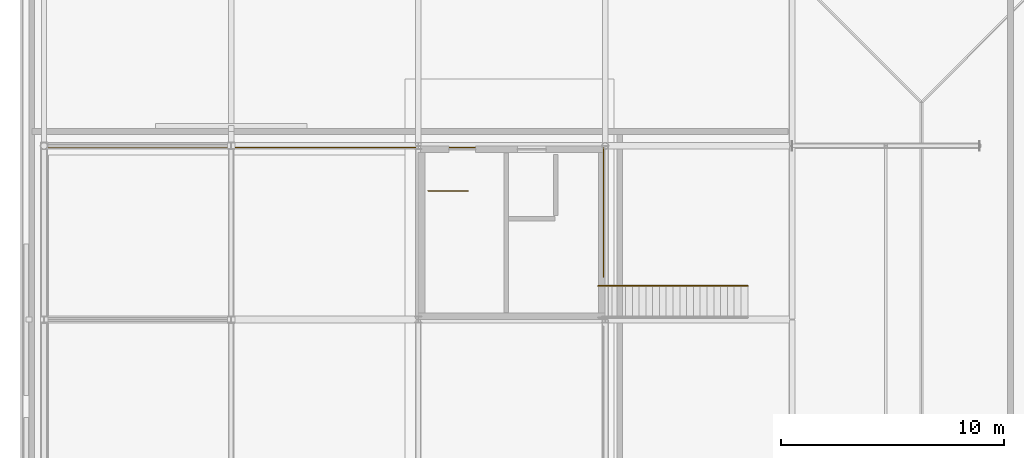
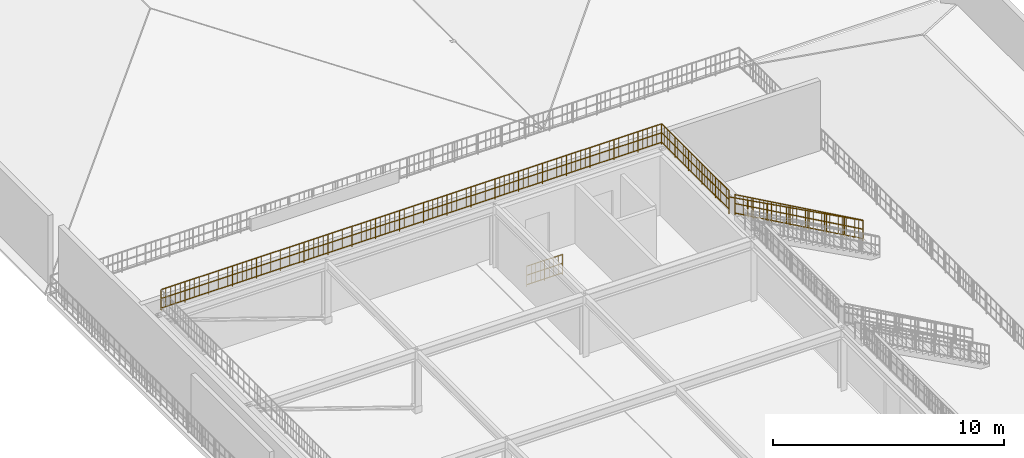
# One storey, part 15 of 16: 5 railings.
"""IFC4 building model written with IfcOpenShell, lengths in metres."""

from ifc_helpers import new_model, si_unit, direction, frame, origin, origin_2d, place, context, subcontext, project, spatial, circle, extrude, material, layer, layer_set, type_object, element, save


model = new_model("IFC4")

# Units and contexts
model_context = context("Model", 3, precision=1e-05, world=origin(), true_north=direction((0.0, 1.0)))
body_context = subcontext(model_context, "Body", "Model", "MODEL_VIEW")
ifc_project = project(units=[si_unit("LENGTHUNIT", "METRE"), si_unit("AREAUNIT", "SQUARE_METRE"), si_unit("VOLUMEUNIT", "CUBIC_METRE"), si_unit("PLANEANGLEUNIT", "RADIAN"), si_unit("MASSUNIT", "GRAM", prefix="KILO")], contexts=[model_context])

# Site, building, storey
site_placement = place(None, origin())
site = spatial("IfcSite", under=ifc_project, at=site_placement, CompositionType="ELEMENT")
building_placement = place(site_placement, origin())
building = spatial("IfcBuilding", under=site, at=building_placement, Name="Nabrawat Pavilion Hospital", CompositionType="ELEMENT")
storey_placement = place(building_placement, frame((0.0, 0.0, 35.10009765625)))
storey = spatial("IfcBuildingStorey", under=building, at=storey_placement, Name="Roof", CompositionType="ELEMENT", Elevation=35.10009765625)

# Railings
ifc_material = material(Name="Stainless Steel 316", Category="steel")
ifc_layer_1 = layer(ifc_material, 0.070068359375, Name="Stainless Steel 316")
ifc_layer_set_1 = layer_set([ifc_layer_1], Name="Stainless Steel 316")
railing_type_1 = type_object("IfcRailingType", Name="Exterior Clinical Terrace Safety Guardrail 1100", PredefinedType="GUARDRAIL", material=ifc_layer_set_1)
railing_1_placement = place(storey_placement, frame((151.280029296875, 77.919921875, 3.599853515625)))
element("IfcRailing", 1, at=railing_1_placement, inside=storey, type_object=railing_type_1, Name="Rooftop Helipad Deck Safety Perimeter Guardrail North", PredefinedType="GUARDRAIL", context=body_context, shape_type="SweptSolid", body=[
    extrude(circle(Radius=0.02392578125, at=origin_2d()), frame((0.0, 0.0, 1.076171875), z_axis=(1.0, 0.0, 0.0), x_axis=(0.0, 1.0, 0.0)), (0.0, 0.0, 1.0), 25.0400390625),
    extrude(circle(Radius=0.02392578125, at=origin_2d()), frame((0.0, 0.0, 0.10009765625), z_axis=(1.0, 0.0, 0.0), x_axis=(0.0, 1.0, 0.0)), (0.0, 0.0, 1.0), 25.0400390625),
    extrude(circle(Radius=0.02392578125, at=origin_2d()), frame((0.0, 0.0, 0.60498046875), z_axis=(1.0, 0.0, 0.0), x_axis=(0.0, 1.0, 0.0)), (0.0, 0.0, 1.0), 25.0400390625),
    extrude(circle(Radius=0.008056640625, at=origin_2d()), frame((0.238525390625, 0.0, 0.10009765625)), (0.0, 0.0, 1.0), 0.951904296875),
    extrude(circle(Radius=0.008056640625, at=origin_2d()), frame((0.47705078125, 0.0, 0.10009765625)), (0.0, 0.0, 1.0), 0.951904296875),
    extrude(circle(Radius=0.008056640625, at=origin_2d()), frame((0.71533203125, 0.0, 0.10009765625)), (0.0, 0.0, 1.0), 0.951904296875),
    extrude(circle(Radius=0.008056640625, at=origin_2d()), frame((0.953857421875, 0.0, 0.10009765625)), (0.0, 0.0, 1.0), 0.951904296875),
    extrude(circle(Radius=0.008056640625, at=origin_2d()), frame((1.430908203125, 0.0, 0.10009765625)), (0.0, 0.0, 1.0), 0.951904296875),
    extrude(circle(Radius=0.008056640625, at=origin_2d()), frame((1.66943359375, 0.0, 0.10009765625)), (0.0, 0.0, 1.0), 0.951904296875),
    extrude(circle(Radius=0.008056640625, at=origin_2d()), frame((1.90771484375, 0.0, 0.10009765625)), (0.0, 0.0, 1.0), 0.951904296875),
    extrude(circle(Radius=0.008056640625, at=origin_2d()), frame((2.146240234375, 0.0, 0.10009765625)), (0.0, 0.0, 1.0), 0.951904296875),
    extrude(circle(Radius=0.008056640625, at=origin_2d()), frame((2.623291015625, 0.0, 0.10009765625)), (0.0, 0.0, 1.0), 0.951904296875),
    extrude(circle(Radius=0.008056640625, at=origin_2d()), frame((2.86181640625, 0.0, 0.10009765625)), (0.0, 0.0, 1.0), 0.951904296875),
    extrude(circle(Radius=0.008056640625, at=origin_2d()), frame((3.10009765625, 0.0, 0.10009765625)), (0.0, 0.0, 1.0), 0.951904296875),
    extrude(circle(Radius=0.008056640625, at=origin_2d()), frame((3.338623046875, 0.0, 0.10009765625)), (0.0, 0.0, 1.0), 0.951904296875),
    extrude(circle(Radius=0.008056640625, at=origin_2d()), frame((3.815673828125, 0.0, 0.10009765625)), (0.0, 0.0, 1.0), 0.951904296875),
    extrude(circle(Radius=0.008056640625, at=origin_2d()), frame((4.05419921875, 0.0, 0.10009765625)), (0.0, 0.0, 1.0), 0.951904296875),
    extrude(circle(Radius=0.008056640625, at=origin_2d()), frame((4.29248046875, 0.0, 0.10009765625)), (0.0, 0.0, 1.0), 0.951904296875),
    extrude(circle(Radius=0.008056640625, at=origin_2d()), frame((4.531005859375, 0.0, 0.10009765625)), (0.0, 0.0, 1.0), 0.951904296875),
    extrude(circle(Radius=0.008056640625, at=origin_2d()), frame((5.008056640625, 0.0, 0.10009765625)), (0.0, 0.0, 1.0), 0.951904296875),
    extrude(circle(Radius=0.008056640625, at=origin_2d()), frame((5.24658203125, 0.0, 0.10009765625)), (0.0, 0.0, 1.0), 0.951904296875),
    extrude(circle(Radius=0.008056640625, at=origin_2d()), frame((5.48486328125, 0.0, 0.10009765625)), (0.0, 0.0, 1.0), 0.951904296875),
    extrude(circle(Radius=0.008056640625, at=origin_2d()), frame((5.723388671875, 0.0, 0.10009765625)), (0.0, 0.0, 1.0), 0.951904296875),
    extrude(circle(Radius=0.008056640625, at=origin_2d()), frame((6.200439453125, 0.0, 0.10009765625)), (0.0, 0.0, 1.0), 0.951904296875),
    extrude(circle(Radius=0.008056640625, at=origin_2d()), frame((6.43896484375, 0.0, 0.10009765625)), (0.0, 0.0, 1.0), 0.951904296875),
    extrude(circle(Radius=0.008056640625, at=origin_2d()), frame((6.67724609375, 0.0, 0.10009765625)), (0.0, 0.0, 1.0), 0.951904296875),
    extrude(circle(Radius=0.008056640625, at=origin_2d()), frame((6.915771484375, 0.0, 0.10009765625)), (0.0, 0.0, 1.0), 0.951904296875),
    extrude(circle(Radius=0.008056640625, at=origin_2d()), frame((7.392822265625, 0.0, 0.10009765625)), (0.0, 0.0, 1.0), 0.951904296875),
    extrude(circle(Radius=0.008056640625, at=origin_2d()), frame((7.63134765625, 0.0, 0.10009765625)), (0.0, 0.0, 1.0), 0.951904296875),
    extrude(circle(Radius=0.008056640625, at=origin_2d()), frame((7.86962890625, 0.0, 0.10009765625)), (0.0, 0.0, 1.0), 0.951904296875),
    extrude(circle(Radius=0.008056640625, at=origin_2d()), frame((8.108154296875, 0.0, 0.10009765625)), (0.0, 0.0, 1.0), 0.951904296875),
    extrude(circle(Radius=0.008056640625, at=origin_2d()), frame((8.585205078125, 0.0, 0.10009765625)), (0.0, 0.0, 1.0), 0.951904296875),
    extrude(circle(Radius=0.008056640625, at=origin_2d()), frame((8.82373046875, 0.0, 0.10009765625)), (0.0, 0.0, 1.0), 0.951904296875),
    extrude(circle(Radius=0.008056640625, at=origin_2d()), frame((9.06201171875, 0.0, 0.10009765625)), (0.0, 0.0, 1.0), 0.951904296875),
    extrude(circle(Radius=0.008056640625, at=origin_2d()), frame((9.300537109375, 0.0, 0.10009765625)), (0.0, 0.0, 1.0), 0.951904296875),
    extrude(circle(Radius=0.008056640625, at=origin_2d()), frame((9.777587890625, 0.0, 0.10009765625)), (0.0, 0.0, 1.0), 0.951904296875),
    extrude(circle(Radius=0.008056640625, at=origin_2d()), frame((10.01611328125, 0.0, 0.10009765625)), (0.0, 0.0, 1.0), 0.951904296875),
    extrude(circle(Radius=0.008056640625, at=origin_2d()), frame((10.25439453125, 0.0, 0.10009765625)), (0.0, 0.0, 1.0), 0.951904296875),
    extrude(circle(Radius=0.008056640625, at=origin_2d()), frame((10.492919921875, 0.0, 0.10009765625)), (0.0, 0.0, 1.0), 0.951904296875),
    extrude(circle(Radius=0.008056640625, at=origin_2d()), frame((10.969970703125, 0.0, 0.10009765625)), (0.0, 0.0, 1.0), 0.951904296875),
    extrude(circle(Radius=0.008056640625, at=origin_2d()), frame((11.20849609375, 0.0, 0.10009765625)), (0.0, 0.0, 1.0), 0.951904296875),
    extrude(circle(Radius=0.008056640625, at=origin_2d()), frame((11.44677734375, 0.0, 0.10009765625)), (0.0, 0.0, 1.0), 0.951904296875),
    extrude(circle(Radius=0.008056640625, at=origin_2d()), frame((11.685302734375, 0.0, 0.10009765625)), (0.0, 0.0, 1.0), 0.951904296875),
    extrude(circle(Radius=0.008056640625, at=origin_2d()), frame((12.162353515625, 0.0, 0.10009765625)), (0.0, 0.0, 1.0), 0.951904296875),
    extrude(circle(Radius=0.008056640625, at=origin_2d()), frame((12.40087890625, 0.0, 0.10009765625)), (0.0, 0.0, 1.0), 0.951904296875),
    extrude(circle(Radius=0.008056640625, at=origin_2d()), frame((12.63916015625, 0.0, 0.10009765625)), (0.0, 0.0, 1.0), 0.951904296875),
    extrude(circle(Radius=0.008056640625, at=origin_2d()), frame((12.877685546875, 0.0, 0.10009765625)), (0.0, 0.0, 1.0), 0.951904296875),
    extrude(circle(Radius=0.008056640625, at=origin_2d()), frame((13.354736328125, 0.0, 0.10009765625)), (0.0, 0.0, 1.0), 0.951904296875),
    extrude(circle(Radius=0.008056640625, at=origin_2d()), frame((13.59326171875, 0.0, 0.10009765625)), (0.0, 0.0, 1.0), 0.951904296875),
    extrude(circle(Radius=0.008056640625, at=origin_2d()), frame((13.83154296875, 0.0, 0.10009765625)), (0.0, 0.0, 1.0), 0.951904296875),
    extrude(circle(Radius=0.008056640625, at=origin_2d()), frame((14.070068359375, 0.0, 0.10009765625)), (0.0, 0.0, 1.0), 0.951904296875),
    extrude(circle(Radius=0.008056640625, at=origin_2d()), frame((14.547119140625, 0.0, 0.10009765625)), (0.0, 0.0, 1.0), 0.951904296875),
    extrude(circle(Radius=0.008056640625, at=origin_2d()), frame((14.78564453125, 0.0, 0.10009765625)), (0.0, 0.0, 1.0), 0.951904296875),
    extrude(circle(Radius=0.008056640625, at=origin_2d()), frame((15.02392578125, 0.0, 0.10009765625)), (0.0, 0.0, 1.0), 0.951904296875),
    extrude(circle(Radius=0.008056640625, at=origin_2d()), frame((15.262451171875, 0.0, 0.10009765625)), (0.0, 0.0, 1.0), 0.951904296875),
    extrude(circle(Radius=0.008056640625, at=origin_2d()), frame((15.739501953125, 0.0, 0.10009765625)), (0.0, 0.0, 1.0), 0.951904296875),
    extrude(circle(Radius=0.008056640625, at=origin_2d()), frame((15.97802734375, 0.0, 0.10009765625)), (0.0, 0.0, 1.0), 0.951904296875),
    extrude(circle(Radius=0.008056640625, at=origin_2d()), frame((16.21630859375, 0.0, 0.10009765625)), (0.0, 0.0, 1.0), 0.951904296875),
    extrude(circle(Radius=0.008056640625, at=origin_2d()), frame((16.454833984375, 0.0, 0.10009765625)), (0.0, 0.0, 1.0), 0.951904296875),
    extrude(circle(Radius=0.008056640625, at=origin_2d()), frame((16.931884765625, 0.0, 0.10009765625)), (0.0, 0.0, 1.0), 0.951904296875),
    extrude(circle(Radius=0.008056640625, at=origin_2d()), frame((17.17041015625, 0.0, 0.10009765625)), (0.0, 0.0, 1.0), 0.951904296875),
    extrude(circle(Radius=0.008056640625, at=origin_2d()), frame((17.40869140625, 0.0, 0.10009765625)), (0.0, 0.0, 1.0), 0.951904296875),
    extrude(circle(Radius=0.008056640625, at=origin_2d()), frame((17.647216796875, 0.0, 0.10009765625)), (0.0, 0.0, 1.0), 0.951904296875),
    extrude(circle(Radius=0.008056640625, at=origin_2d()), frame((18.124267578125, 0.0, 0.10009765625)), (0.0, 0.0, 1.0), 0.951904296875),
    extrude(circle(Radius=0.008056640625, at=origin_2d()), frame((18.36279296875, 0.0, 0.10009765625)), (0.0, 0.0, 1.0), 0.951904296875),
    extrude(circle(Radius=0.008056640625, at=origin_2d()), frame((18.60107421875, 0.0, 0.10009765625)), (0.0, 0.0, 1.0), 0.951904296875),
    extrude(circle(Radius=0.008056640625, at=origin_2d()), frame((18.839599609375, 0.0, 0.10009765625)), (0.0, 0.0, 1.0), 0.951904296875),
    extrude(circle(Radius=0.008056640625, at=origin_2d()), frame((19.316650390625, 0.0, 0.10009765625)), (0.0, 0.0, 1.0), 0.951904296875),
    extrude(circle(Radius=0.008056640625, at=origin_2d()), frame((19.55517578125, 0.0, 0.10009765625)), (0.0, 0.0, 1.0), 0.951904296875),
    extrude(circle(Radius=0.008056640625, at=origin_2d()), frame((19.79345703125, 0.0, 0.10009765625)), (0.0, 0.0, 1.0), 0.951904296875),
    extrude(circle(Radius=0.008056640625, at=origin_2d()), frame((20.031982421875, 0.0, 0.10009765625)), (0.0, 0.0, 1.0), 0.951904296875),
    extrude(circle(Radius=0.008056640625, at=origin_2d()), frame((20.509033203125, 0.0, 0.10009765625)), (0.0, 0.0, 1.0), 0.951904296875),
    extrude(circle(Radius=0.008056640625, at=origin_2d()), frame((20.74755859375, 0.0, 0.10009765625)), (0.0, 0.0, 1.0), 0.951904296875),
    extrude(circle(Radius=0.008056640625, at=origin_2d()), frame((20.98583984375, 0.0, 0.10009765625)), (0.0, 0.0, 1.0), 0.951904296875),
    extrude(circle(Radius=0.008056640625, at=origin_2d()), frame((21.224365234375, 0.0, 0.10009765625)), (0.0, 0.0, 1.0), 0.951904296875),
    extrude(circle(Radius=0.008056640625, at=origin_2d()), frame((21.701416015625, 0.0, 0.10009765625)), (0.0, 0.0, 1.0), 0.951904296875),
    extrude(circle(Radius=0.008056640625, at=origin_2d()), frame((21.93994140625, 0.0, 0.10009765625)), (0.0, 0.0, 1.0), 0.951904296875),
    extrude(circle(Radius=0.008056640625, at=origin_2d()), frame((22.17822265625, 0.0, 0.10009765625)), (0.0, 0.0, 1.0), 0.951904296875),
    extrude(circle(Radius=0.008056640625, at=origin_2d()), frame((22.416748046875, 0.0, 0.10009765625)), (0.0, 0.0, 1.0), 0.951904296875),
    extrude(circle(Radius=0.008056640625, at=origin_2d()), frame((22.893798828125, 0.0, 0.10009765625)), (0.0, 0.0, 1.0), 0.951904296875),
    extrude(circle(Radius=0.008056640625, at=origin_2d()), frame((23.13232421875, 0.0, 0.10009765625)), (0.0, 0.0, 1.0), 0.951904296875),
    extrude(circle(Radius=0.008056640625, at=origin_2d()), frame((23.37060546875, 0.0, 0.10009765625)), (0.0, 0.0, 1.0), 0.951904296875),
    extrude(circle(Radius=0.008056640625, at=origin_2d()), frame((23.609130859375, 0.0, 0.10009765625)), (0.0, 0.0, 1.0), 0.951904296875),
    extrude(circle(Radius=0.008056640625, at=origin_2d()), frame((24.086181640625, 0.0, 0.10009765625)), (0.0, 0.0, 1.0), 0.951904296875),
    extrude(circle(Radius=0.008056640625, at=origin_2d()), frame((24.32470703125, 0.0, 0.10009765625)), (0.0, 0.0, 1.0), 0.951904296875),
    extrude(circle(Radius=0.008056640625, at=origin_2d()), frame((24.56298828125, 0.0, 0.10009765625)), (0.0, 0.0, 1.0), 0.951904296875),
    extrude(circle(Radius=0.008056640625, at=origin_2d()), frame((24.801513671875, 0.0, 0.10009765625)), (0.0, 0.0, 1.0), 0.951904296875),
    extrude(circle(Radius=0.02099609375, at=origin_2d()), origin(), (0.0, 0.0, 1.0), 1.052001953125),
    extrude(circle(Radius=0.02099609375, at=origin_2d()), frame((1.1923828125, 0.0, 0.0)), (0.0, 0.0, 1.0), 1.052001953125),
    extrude(circle(Radius=0.02099609375, at=origin_2d()), frame((2.384765625, 0.0, 0.0)), (0.0, 0.0, 1.0), 1.052001953125),
    extrude(circle(Radius=0.02099609375, at=origin_2d()), frame((3.5771484375, 0.0, 0.0)), (0.0, 0.0, 1.0), 1.052001953125),
    extrude(circle(Radius=0.02099609375, at=origin_2d()), frame((4.76953125, 0.0, 0.0)), (0.0, 0.0, 1.0), 1.052001953125),
    extrude(circle(Radius=0.02099609375, at=origin_2d()), frame((5.9619140625, 0.0, 0.0)), (0.0, 0.0, 1.0), 1.052001953125),
    extrude(circle(Radius=0.02099609375, at=origin_2d()), frame((7.154296875, 0.0, 0.0)), (0.0, 0.0, 1.0), 1.052001953125),
    extrude(circle(Radius=0.02099609375, at=origin_2d()), frame((8.3466796875, 0.0, 0.0)), (0.0, 0.0, 1.0), 1.052001953125),
    extrude(circle(Radius=0.02099609375, at=origin_2d()), frame((9.5390625, 0.0, 0.0)), (0.0, 0.0, 1.0), 1.052001953125),
    extrude(circle(Radius=0.02099609375, at=origin_2d()), frame((10.7314453125, 0.0, 0.0)), (0.0, 0.0, 1.0), 1.052001953125),
    extrude(circle(Radius=0.02099609375, at=origin_2d()), frame((11.923828125, 0.0, 0.0)), (0.0, 0.0, 1.0), 1.052001953125),
    extrude(circle(Radius=0.02099609375, at=origin_2d()), frame((13.1162109375, 0.0, 0.0)), (0.0, 0.0, 1.0), 1.052001953125),
    extrude(circle(Radius=0.02099609375, at=origin_2d()), frame((14.30859375, 0.0, 0.0)), (0.0, 0.0, 1.0), 1.052001953125),
    extrude(circle(Radius=0.02099609375, at=origin_2d()), frame((15.5009765625, 0.0, 0.0)), (0.0, 0.0, 1.0), 1.052001953125),
    extrude(circle(Radius=0.02099609375, at=origin_2d()), frame((16.693359375, 0.0, 0.0)), (0.0, 0.0, 1.0), 1.052001953125),
    extrude(circle(Radius=0.02099609375, at=origin_2d()), frame((17.8857421875, 0.0, 0.0)), (0.0, 0.0, 1.0), 1.052001953125),
    extrude(circle(Radius=0.02099609375, at=origin_2d()), frame((19.078125, 0.0, 0.0)), (0.0, 0.0, 1.0), 1.052001953125),
    extrude(circle(Radius=0.02099609375, at=origin_2d()), frame((20.2705078125, 0.0, 0.0)), (0.0, 0.0, 1.0), 1.052001953125),
    extrude(circle(Radius=0.02099609375, at=origin_2d()), frame((21.462890625, 0.0, 0.0)), (0.0, 0.0, 1.0), 1.052001953125),
    extrude(circle(Radius=0.02099609375, at=origin_2d()), frame((22.6552734375, 0.0, 0.0)), (0.0, 0.0, 1.0), 1.052001953125),
    extrude(circle(Radius=0.02099609375, at=origin_2d()), frame((23.84765625, 0.0, 0.0)), (0.0, 0.0, 1.0), 1.052001953125),
    extrude(circle(Radius=0.02099609375, at=origin_2d()), frame((25.0400390625, 0.0, 0.0)), (0.0, 0.0, 1.0), 1.052001953125),
])
railing_2_placement = place(storey_placement, frame((176.320068359375, 72.10009765625, 3.599853515625)))
element("IfcRailing", 2, at=railing_2_placement, inside=storey, type_object=railing_type_1, Name="Rooftop Helipad Deck Safety Perimeter Guardrail East-N", PredefinedType="GUARDRAIL", context=body_context, shape_type="SweptSolid", body=[
    extrude(circle(Radius=0.02392578125, at=origin_2d()), frame((0.0, 0.0, 1.076171875), z_axis=(0.0, 1.0, 0.0), x_axis=(-1.0, 0.0, 0.0)), (0.0, 0.0, 1.0), 5.81982421875),
    extrude(circle(Radius=0.02392578125, at=origin_2d()), frame((0.0, 0.0, 0.10009765625), z_axis=(0.0, 1.0, 0.0), x_axis=(-1.0, 0.0, 0.0)), (0.0, 0.0, 1.0), 5.81982421875),
    extrude(circle(Radius=0.02392578125, at=origin_2d()), frame((0.0, 0.0, 0.60498046875), z_axis=(0.0, 1.0, 0.0), x_axis=(-1.0, 0.0, 0.0)), (0.0, 0.0, 1.0), 5.81982421875),
    extrude(circle(Radius=0.008056640625, at=origin_2d()), frame((0.0, 0.23291015625, 0.10009765625)), (0.0, 0.0, 1.0), 0.951904296875),
    extrude(circle(Radius=0.008056640625, at=origin_2d()), frame((0.0, 0.465576171875, 0.10009765625)), (0.0, 0.0, 1.0), 0.951904296875),
    extrude(circle(Radius=0.008056640625, at=origin_2d()), frame((0.0, 0.698486328125, 0.10009765625)), (0.0, 0.0, 1.0), 0.951904296875),
    extrude(circle(Radius=0.008056640625, at=origin_2d()), frame((0.0, 0.93115234375, 0.10009765625)), (0.0, 0.0, 1.0), 0.951904296875),
    extrude(circle(Radius=0.008056640625, at=origin_2d()), frame((0.0, 1.396728515625, 0.10009765625)), (0.0, 0.0, 1.0), 0.951904296875),
    extrude(circle(Radius=0.008056640625, at=origin_2d()), frame((0.0, 1.629638671875, 0.10009765625)), (0.0, 0.0, 1.0), 0.951904296875),
    extrude(circle(Radius=0.008056640625, at=origin_2d()), frame((0.0, 1.8623046875, 0.10009765625)), (0.0, 0.0, 1.0), 0.951904296875),
    extrude(circle(Radius=0.008056640625, at=origin_2d()), frame((0.0, 2.09521484375, 0.10009765625)), (0.0, 0.0, 1.0), 0.951904296875),
    extrude(circle(Radius=0.008056640625, at=origin_2d()), frame((0.0, 2.560791015625, 0.10009765625)), (0.0, 0.0, 1.0), 0.951904296875),
    extrude(circle(Radius=0.008056640625, at=origin_2d()), frame((0.0, 2.79345703125, 0.10009765625)), (0.0, 0.0, 1.0), 0.951904296875),
    extrude(circle(Radius=0.008056640625, at=origin_2d()), frame((0.0, 3.0263671875, 0.10009765625)), (0.0, 0.0, 1.0), 0.951904296875),
    extrude(circle(Radius=0.008056640625, at=origin_2d()), frame((0.0, 3.259033203125, 0.10009765625)), (0.0, 0.0, 1.0), 0.951904296875),
    extrude(circle(Radius=0.008056640625, at=origin_2d()), frame((0.0, 3.724609375, 0.10009765625)), (0.0, 0.0, 1.0), 0.951904296875),
    extrude(circle(Radius=0.008056640625, at=origin_2d()), frame((0.0, 3.95751953125, 0.10009765625)), (0.0, 0.0, 1.0), 0.951904296875),
    extrude(circle(Radius=0.008056640625, at=origin_2d()), frame((0.0, 4.190185546875, 0.10009765625)), (0.0, 0.0, 1.0), 0.951904296875),
    extrude(circle(Radius=0.008056640625, at=origin_2d()), frame((0.0, 4.423095703125, 0.10009765625)), (0.0, 0.0, 1.0), 0.951904296875),
    extrude(circle(Radius=0.008056640625, at=origin_2d()), frame((0.0, 4.888671875, 0.10009765625)), (0.0, 0.0, 1.0), 0.951904296875),
    extrude(circle(Radius=0.008056640625, at=origin_2d()), frame((0.0, 5.121337890625, 0.10009765625)), (0.0, 0.0, 1.0), 0.951904296875),
    extrude(circle(Radius=0.008056640625, at=origin_2d()), frame((0.0, 5.354248046875, 0.10009765625)), (0.0, 0.0, 1.0), 0.951904296875),
    extrude(circle(Radius=0.008056640625, at=origin_2d()), frame((0.0, 5.5869140625, 0.10009765625)), (0.0, 0.0, 1.0), 0.951904296875),
    extrude(circle(Radius=0.02099609375, at=origin_2d()), origin(), (0.0, 0.0, 1.0), 1.052001953125),
    extrude(circle(Radius=0.02099609375, at=origin_2d()), frame((0.0, 1.1640625, 0.0)), (0.0, 0.0, 1.0), 1.052001953125),
    extrude(circle(Radius=0.02099609375, at=origin_2d()), frame((0.0, 2.327880859375, 0.0)), (0.0, 0.0, 1.0), 1.052001953125),
    extrude(circle(Radius=0.02099609375, at=origin_2d()), frame((0.0, 3.491943359375, 0.0)), (0.0, 0.0, 1.0), 1.052001953125),
    extrude(circle(Radius=0.02099609375, at=origin_2d()), frame((0.0, 4.65576171875, 0.0)), (0.0, 0.0, 1.0), 1.052001953125),
    extrude(circle(Radius=0.02099609375, at=origin_2d()), frame((0.0, 5.81982421875, 0.0)), (0.0, 0.0, 1.0), 1.052001953125),
])
ifc_layer_2 = layer(ifc_material, 0.050048828125, Name="Stainless Steel 316")
ifc_layer_set_2 = layer_set([ifc_layer_2], Name="Stainless Steel 316")
railing_type_2 = type_object("IfcRailingType", Name="Stair Open-Well Safety Guardrail 1100", PredefinedType="GUARDRAIL", material=ifc_layer_set_2)
railing_3_placement = place(storey_placement, frame((168.449951171875, 75.97998046875, 0.0)))
element("IfcRailing", 3, at=railing_3_placement, inside=storey, type_object=railing_type_2, Name="Roof ST-06 top well guard 1", PredefinedType="GUARDRAIL", context=body_context, shape_type="SweptSolid", body=[
    extrude(circle(Radius=0.02392578125, at=origin_2d()), frame((0.0, 0.0, 1.076171875), z_axis=(1.0, 0.0, 0.0), x_axis=(0.0, 1.0, 0.0)), (0.0, 0.0, 1.0), 1.800048828125),
    extrude(circle(Radius=0.02392578125, at=origin_2d()), frame((0.0, 0.0, 0.10009765625), z_axis=(1.0, 0.0, 0.0), x_axis=(0.0, 1.0, 0.0)), (0.0, 0.0, 1.0), 1.800048828125),
    extrude(circle(Radius=0.02392578125, at=origin_2d()), frame((0.0, 0.0, 0.60498046875), z_axis=(1.0, 0.0, 0.0), x_axis=(0.0, 1.0, 0.0)), (0.0, 0.0, 1.0), 1.800048828125),
    extrude(circle(Radius=0.008056640625, at=origin_2d()), frame((0.22509765625, 0.0, 0.10009765625)), (0.0, 0.0, 1.0), 0.951904296875),
    extrude(circle(Radius=0.008056640625, at=origin_2d()), frame((0.449951171875, 0.0, 0.10009765625)), (0.0, 0.0, 1.0), 0.951904296875),
    extrude(circle(Radius=0.008056640625, at=origin_2d()), frame((0.675048828125, 0.0, 0.10009765625)), (0.0, 0.0, 1.0), 0.951904296875),
    extrude(circle(Radius=0.008056640625, at=origin_2d()), frame((1.125, 0.0, 0.10009765625)), (0.0, 0.0, 1.0), 0.951904296875),
    extrude(circle(Radius=0.008056640625, at=origin_2d()), frame((1.35009765625, 0.0, 0.10009765625)), (0.0, 0.0, 1.0), 0.951904296875),
    extrude(circle(Radius=0.008056640625, at=origin_2d()), frame((1.574951171875, 0.0, 0.10009765625)), (0.0, 0.0, 1.0), 0.951904296875),
    extrude(circle(Radius=0.02099609375, at=origin_2d()), origin(), (0.0, 0.0, 1.0), 1.052001953125),
    extrude(circle(Radius=0.02099609375, at=origin_2d()), frame((0.89990234375, 0.0, 0.0)), (0.0, 0.0, 1.0), 1.052001953125),
    extrude(circle(Radius=0.02099609375, at=origin_2d()), frame((1.800048828125, 0.0, 0.0)), (0.0, 0.0, 1.0), 1.052001953125),
])
railing_4_placement = place(storey_placement, frame((182.800048828125, 71.7099609375, 0.0)))
element("IfcRailing", 4, at=railing_4_placement, inside=storey, type_object=railing_type_2, Name="Roof Helipad Secondary North Escape Stair Open-Edge Guardrail R", PredefinedType="GUARDRAIL", context=body_context, shape_type="SweptSolid", body=[
    extrude(circle(Radius=0.02392578125, at=origin_2d()), frame((0.0, 0.0, 1.076171875), z_axis=(-0.871748527163, 0.0, 0.489953574729), x_axis=(0.0, -1.0, 0.0)), (0.0, 0.0, 1.0), 7.347412109375),
    extrude(circle(Radius=0.02392578125, at=origin_2d()), frame((0.0, 0.0, 0.10009765625), z_axis=(-0.871748527163, 0.0, 0.489953574729), x_axis=(0.0, -1.0, 0.0)), (0.0, 0.0, 1.0), 7.347412109375),
    extrude(circle(Radius=0.02392578125, at=origin_2d()), frame((0.0, 0.0, 0.60498046875), z_axis=(-0.871748527163, 0.0, 0.489953574729), x_axis=(0.0, -1.0, 0.0)), (0.0, 0.0, 1.0), 7.347412109375),
    extrude(circle(Radius=0.008056640625, at=origin_2d()), frame((-0.20654296875, 0.0, 0.216064453125)), (0.0, 0.0, 1.0), 0.951904296875),
    extrude(circle(Radius=0.008056640625, at=origin_2d()), frame((-0.413330078125, 0.0, 0.332275390625)), (0.0, 0.0, 1.0), 0.951904296875),
    extrude(circle(Radius=0.008056640625, at=origin_2d()), frame((-0.619873046875, 0.0, 0.448486328125)), (0.0, 0.0, 1.0), 0.951904296875),
    extrude(circle(Radius=0.008056640625, at=origin_2d()), frame((-0.826416015625, 0.0, 0.564453125)), (0.0, 0.0, 1.0), 0.951904296875),
    extrude(circle(Radius=0.008056640625, at=origin_2d()), frame((-1.032958984375, 0.0, 0.6806640625)), (0.0, 0.0, 1.0), 0.951904296875),
    extrude(circle(Radius=0.008056640625, at=origin_2d()), frame((-1.23974609375, 0.0, 0.796630859375)), (0.0, 0.0, 1.0), 0.951904296875),
    extrude(circle(Radius=0.008056640625, at=origin_2d()), frame((-1.4462890625, 0.0, 0.912841796875)), (0.0, 0.0, 1.0), 0.951904296875),
    extrude(circle(Radius=0.008056640625, at=origin_2d()), frame((-1.65283203125, 0.0, 1.029052734375)), (0.0, 0.0, 1.0), 0.951904296875),
    extrude(circle(Radius=0.008056640625, at=origin_2d()), frame((-2.066162109375, 0.0, 1.26123046875)), (0.0, 0.0, 1.0), 0.951904296875),
    extrude(circle(Radius=0.008056640625, at=origin_2d()), frame((-2.272705078125, 0.0, 1.37744140625)), (0.0, 0.0, 1.0), 0.951904296875),
    extrude(circle(Radius=0.008056640625, at=origin_2d()), frame((-2.479248046875, 0.0, 1.493408203125)), (0.0, 0.0, 1.0), 0.951904296875),
    extrude(circle(Radius=0.008056640625, at=origin_2d()), frame((-2.68603515625, 0.0, 1.609619140625)), (0.0, 0.0, 1.0), 0.951904296875),
    extrude(circle(Radius=0.008056640625, at=origin_2d()), frame((-2.892578125, 0.0, 1.725830078125)), (0.0, 0.0, 1.0), 0.951904296875),
    extrude(circle(Radius=0.008056640625, at=origin_2d()), frame((-3.09912109375, 0.0, 1.841796875)), (0.0, 0.0, 1.0), 0.951904296875),
    extrude(circle(Radius=0.008056640625, at=origin_2d()), frame((-3.305908203125, 0.0, 1.9580078125)), (0.0, 0.0, 1.0), 0.951904296875),
    extrude(circle(Radius=0.008056640625, at=origin_2d()), frame((-3.512451171875, 0.0, 2.07421875)), (0.0, 0.0, 1.0), 0.951904296875),
    extrude(circle(Radius=0.008056640625, at=origin_2d()), frame((-3.718994140625, 0.0, 2.190185546875)), (0.0, 0.0, 1.0), 0.951904296875),
    extrude(circle(Radius=0.008056640625, at=origin_2d()), frame((-3.92578125, 0.0, 2.306396484375)), (0.0, 0.0, 1.0), 0.951904296875),
    extrude(circle(Radius=0.008056640625, at=origin_2d()), frame((-4.13232421875, 0.0, 2.422607421875)), (0.0, 0.0, 1.0), 0.951904296875),
    extrude(circle(Radius=0.008056640625, at=origin_2d()), frame((-4.3388671875, 0.0, 2.53857421875)), (0.0, 0.0, 1.0), 0.951904296875),
    extrude(circle(Radius=0.008056640625, at=origin_2d()), frame((-4.752197265625, 0.0, 2.770751953125)), (0.0, 0.0, 1.0), 0.951904296875),
    extrude(circle(Radius=0.008056640625, at=origin_2d()), frame((-4.958740234375, 0.0, 2.886962890625)), (0.0, 0.0, 1.0), 0.951904296875),
    extrude(circle(Radius=0.008056640625, at=origin_2d()), frame((-5.165283203125, 0.0, 3.003173828125)), (0.0, 0.0, 1.0), 0.951904296875),
    extrude(circle(Radius=0.008056640625, at=origin_2d()), frame((-5.3720703125, 0.0, 3.119140625)), (0.0, 0.0, 1.0), 0.951904296875),
    extrude(circle(Radius=0.008056640625, at=origin_2d()), frame((-5.57861328125, 0.0, 3.2353515625)), (0.0, 0.0, 1.0), 0.951904296875),
    extrude(circle(Radius=0.008056640625, at=origin_2d()), frame((-5.78515625, 0.0, 3.3515625)), (0.0, 0.0, 1.0), 0.951904296875),
    extrude(circle(Radius=0.008056640625, at=origin_2d()), frame((-5.99169921875, 0.0, 3.467529296875)), (0.0, 0.0, 1.0), 0.951904296875),
    extrude(circle(Radius=0.008056640625, at=origin_2d()), frame((-6.198486328125, 0.0, 3.583740234375)), (0.0, 0.0, 1.0), 0.951904296875),
    extrude(circle(Radius=0.02099609375, at=origin_2d()), origin(), (0.0, 0.0, 1.0), 1.052001953125),
    extrude(circle(Radius=0.02099609375, at=origin_2d()), frame((-0.9150390625, 0.0, 0.51416015625)), (0.0, 0.0, 1.0), 1.052001953125),
    extrude(circle(Radius=0.02099609375, at=origin_2d()), frame((-1.830078125, 0.0, 1.028564453125)), (0.0, 0.0, 1.0), 1.052001953125),
    extrude(circle(Radius=0.02099609375, at=origin_2d()), frame((-2.7451171875, 0.0, 1.542724609375)), (0.0, 0.0, 1.0), 1.052001953125),
    extrude(circle(Radius=0.02099609375, at=origin_2d()), frame((-3.659912109375, 0.0, 2.05712890625)), (0.0, 0.0, 1.0), 1.052001953125),
    extrude(circle(Radius=0.02099609375, at=origin_2d()), frame((-4.574951171875, 0.0, 2.5712890625)), (0.0, 0.0, 1.0), 1.052001953125),
    extrude(circle(Radius=0.02099609375, at=origin_2d()), frame((-5.489990234375, 0.0, 3.085693359375)), (0.0, 0.0, 1.0), 1.052001953125),
    extrude(circle(Radius=0.02099609375, at=origin_2d()), frame((-6.405029296875, 0.0, 3.599853515625)), (0.0, 0.0, 1.0), 1.052001953125),
])
ifc_layer_3 = layer(ifc_material, 0.044921875, Name="Stainless Steel 316")
ifc_layer_set_3 = layer_set([ifc_layer_3], Name="Stainless Steel 316")
railing_type_3 = type_object("IfcRailingType", Name="Stair Pitch Continuous Handrail 920", PredefinedType="HANDRAIL", material=ifc_layer_set_3)
railing_5_placement = place(storey_placement, frame((182.800048828125, 71.7099609375, 0.16650390625)))
element("IfcRailing", 5, at=railing_5_placement, inside=storey, type_object=railing_type_3, Name="Roof Helipad Secondary North Escape Stair Handrail R", PredefinedType="HANDRAIL", context=body_context, shape_type="SweptSolid", body=[
    extrude(circle(Radius=0.02392578125, at=origin_2d()), frame((0.0, 0.0, 0.89599609375), z_axis=(-0.881193823646, 0.0, 0.472755164083), x_axis=(0.0, -1.0, 0.0)), (0.0, 0.0, 1.0), 7.61474609375),
    extrude(circle(Radius=0.02099609375, at=origin_2d()), origin(), (0.0, 0.0, 1.0), 0.871826171875),
    extrude(circle(Radius=0.02099609375, at=origin_2d()), frame((-0.95849609375, 0.0, 0.51416015625)), (0.0, 0.0, 1.0), 0.871826171875),
    extrude(circle(Radius=0.02099609375, at=origin_2d()), frame((-1.917236328125, 0.0, 1.028564453125)), (0.0, 0.0, 1.0), 0.871826171875),
    extrude(circle(Radius=0.02099609375, at=origin_2d()), frame((-2.875732421875, 0.0, 1.542724609375)), (0.0, 0.0, 1.0), 0.871826171875),
    extrude(circle(Radius=0.02099609375, at=origin_2d()), frame((-3.834228515625, 0.0, 2.05712890625)), (0.0, 0.0, 1.0), 0.871826171875),
    extrude(circle(Radius=0.02099609375, at=origin_2d()), frame((-4.792724609375, 0.0, 2.5712890625)), (0.0, 0.0, 1.0), 0.871826171875),
    extrude(circle(Radius=0.02099609375, at=origin_2d()), frame((-5.75146484375, 0.0, 3.085693359375)), (0.0, 0.0, 1.0), 0.871826171875),
    extrude(circle(Radius=0.02099609375, at=origin_2d()), frame((-6.7099609375, 0.0, 3.599853515625)), (0.0, 0.0, 1.0), 0.871826171875),
])

save(model, "model.ifc")
